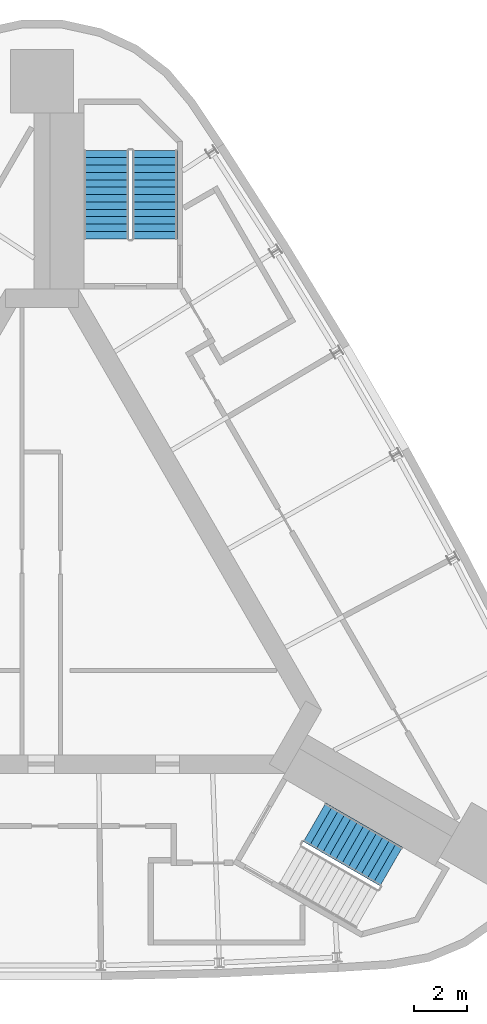
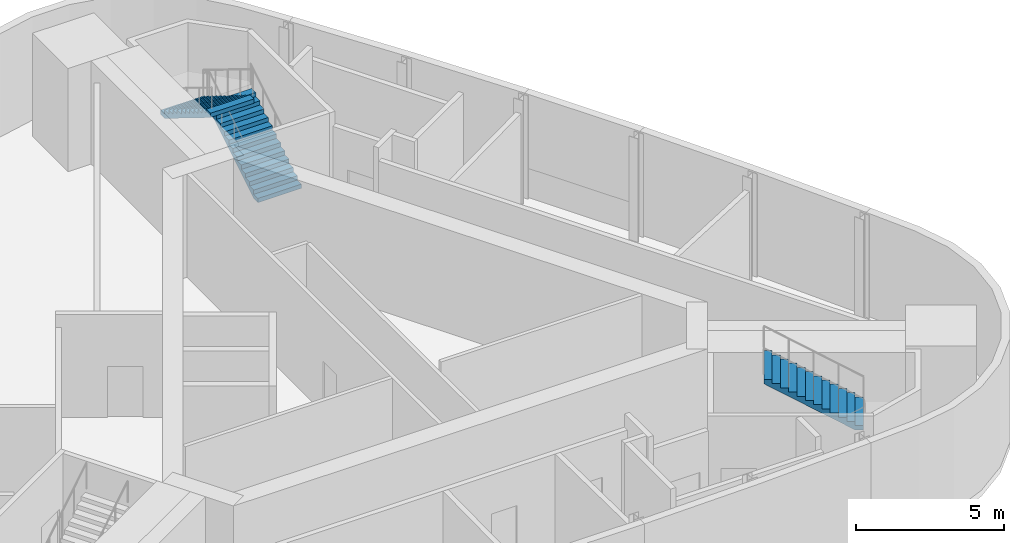
# One storey, part 6 of 7: 3 stair flights, 2 elements without a shape of their own.
"""IFC4 building model written with IfcOpenShell, lengths in metres."""

from ifc_helpers import new_model, si_unit, direction, frame, origin, place, context, subcontext, project, spatial, polyline, outline, extrude, material, type_object, element, aggregate, save


model = new_model("IFC4")

# Units and contexts
model_context = context("Model", 3, precision=1e-05, world=origin(), true_north=direction((0.0, 1.0)))
body_context = subcontext(model_context, "Body", "Model", "MODEL_VIEW")
ifc_project = project(units=[si_unit("LENGTHUNIT", "METRE"), si_unit("AREAUNIT", "SQUARE_METRE"), si_unit("VOLUMEUNIT", "CUBIC_METRE"), si_unit("PLANEANGLEUNIT", "RADIAN"), si_unit("MASSUNIT", "GRAM", prefix="KILO")], contexts=[model_context])

# Site, building, storey
site_placement = place(None, origin())
site = spatial("IfcSite", under=ifc_project, at=site_placement, CompositionType="ELEMENT")
building_placement = place(site_placement, origin())
building = spatial("IfcBuilding", under=site, at=building_placement, Name="Noor Cloister Tower", CompositionType="ELEMENT")
storey_placement = place(building_placement, frame((0.0, 0.0, 293.10009765625)))
storey = spatial("IfcBuildingStorey", under=building, at=storey_placement, Name="L74", CompositionType="ELEMENT", Elevation=293.10009765625)

# Stair, stair flights
ifc_material_1 = material(Name="Concrete C40/50", Category="concrete")
stair_type = type_object("IfcStairType", Name="Exit stair 26 risers", PredefinedType="HALF_TURN_STAIR", material=ifc_material_1)
stair_1_placement = place(storey_placement, origin())
stair_1 = element("IfcStair", 1, at=stair_1_placement, inside=storey, type_object=stair_type, Name="Exit stair ST1 L74", PredefinedType="HALF_TURN_STAIR")
ifc_material_2 = material(Name="Concrete C40/50", Category="concrete")
stair_flight_type = type_object("IfcStairFlightType", Name="Exit stair flight", PredefinedType="STRAIGHT", material=ifc_material_2)
stair_flight_1_placement = place(storey_placement, frame((4.28564453125, 13.3564453125, 0.0), z_axis=(0.0, 0.0, 1.0), x_axis=(0.0, 1.0, 0.0)))
stair_flight_1 = element("IfcStairFlight", 2, at=stair_flight_1_placement, type_object=stair_flight_type, Name="ST1 flight 1", NumberOfRisers=13, NumberOfTreads=12, PredefinedType="STRAIGHT", RiserHeight=0.173076923, TreadLength=0.28, context=body_context, shape_type="SweptSolid", body=[
    extrude(outline(polyline([(0.0, 0.0), (0.0, 0.173095703125), (0.280029296875, 0.173095703125), (0.280029296875, 0.34619140625), (0.56005859375, 0.34619140625), (0.56005859375, 0.519287109375), (0.840087890625, 0.519287109375), (0.840087890625, 0.6923828125), (1.1201171875, 0.6923828125), (1.1201171875, 0.865478515625), (1.39990234375, 0.865478515625), (1.39990234375, 1.03857421875), (1.679931640625, 1.03857421875), (1.679931640625, 1.21142578125), (1.9599609375, 1.21142578125), (1.9599609375, 1.384521484375), (2.239990234375, 1.384521484375), (2.239990234375, 1.5576171875), (2.52001953125, 1.5576171875), (2.52001953125, 1.730712890625), (2.800048828125, 1.730712890625), (2.800048828125, 1.90380859375), (3.080078125, 1.90380859375), (3.080078125, 2.076904296875), (3.360107421875, 2.076904296875), (3.360107421875, 2.25), (3.360107421875, 1.900634765625), (0.28515625, 0.0), (0.0, 0.0)])), frame((0.0, 0.85009765625, 0.0), z_axis=(0.0, -1.0, 0.0), x_axis=(1.0, 0.0, 0.0)), (0.0, 0.0, 1.0), 1.699951171875),
])
stair_flight_2_placement = place(storey_placement, frame((2.435546875, 16.71630859375, 2.25), z_axis=(0.0, 0.0, 1.0), x_axis=(0.0, -1.0, 0.0)))
stair_flight_2 = element("IfcStairFlight", 3, at=stair_flight_2_placement, type_object=stair_flight_type, Name="ST1 flight 2", NumberOfRisers=13, NumberOfTreads=12, PredefinedType="STRAIGHT", RiserHeight=0.173076923, TreadLength=0.28, context=body_context, shape_type="SweptSolid", body=[
    extrude(outline(polyline([(0.0, 0.0), (0.0, 0.173095703125), (0.280029296875, 0.173095703125), (0.280029296875, 0.34619140625), (0.56005859375, 0.34619140625), (0.56005859375, 0.519287109375), (0.840087890625, 0.519287109375), (0.840087890625, 0.6923828125), (1.1201171875, 0.6923828125), (1.1201171875, 0.865478515625), (1.39990234375, 0.865478515625), (1.39990234375, 1.03857421875), (1.679931640625, 1.03857421875), (1.679931640625, 1.21142578125), (1.9599609375, 1.21142578125), (1.9599609375, 1.384521484375), (2.239990234375, 1.384521484375), (2.239990234375, 1.5576171875), (2.52001953125, 1.5576171875), (2.52001953125, 1.730712890625), (2.800048828125, 1.730712890625), (2.800048828125, 1.90380859375), (3.080078125, 1.90380859375), (3.080078125, 2.076904296875), (3.360107421875, 2.076904296875), (3.360107421875, 2.25), (3.360107421875, 1.900634765625), (0.28515625, 0.0), (0.0, 0.0)])), frame((0.0, 0.85009765625, 0.0), z_axis=(0.0, -1.0, 0.0), x_axis=(1.0, 0.0, 0.0)), (0.0, 0.0, 1.0), 1.699951171875),
])
aggregate(stair_1, [stair_flight_1, stair_flight_2])

# Stair, stair flight
stair_2_placement = place(storey_placement, origin())
stair_2 = element("IfcStair", 4, at=stair_2_placement, inside=storey, type_object=stair_type, Name="Exit stair ST3 L74", PredefinedType="HALF_TURN_STAIR")
stair_flight_3_placement = place(storey_placement, frame((13.259033203125, -10.467529296875, 2.25), z_axis=(0.0, 0.0, 1.0), x_axis=(-0.866025403784, 0.5, 0.0)))
stair_flight_3 = element("IfcStairFlight", 5, at=stair_flight_3_placement, type_object=stair_flight_type, Name="ST3 flight 2", NumberOfRisers=13, NumberOfTreads=12, PredefinedType="STRAIGHT", RiserHeight=0.173076923, TreadLength=0.28, context=body_context, shape_type="SweptSolid", body=[
    extrude(outline(polyline([(0.0, 0.0), (0.0, 0.173095703125), (0.280029296875, 0.173095703125), (0.280029296875, 0.34619140625), (0.56005859375, 0.34619140625), (0.56005859375, 0.519287109375), (0.840087890625, 0.519287109375), (0.840087890625, 0.6923828125), (1.1201171875, 0.6923828125), (1.1201171875, 0.865478515625), (1.39990234375, 0.865478515625), (1.39990234375, 1.03857421875), (1.679931640625, 1.03857421875), (1.679931640625, 1.21142578125), (1.9599609375, 1.21142578125), (1.9599609375, 1.384521484375), (2.239990234375, 1.384521484375), (2.239990234375, 1.5576171875), (2.52001953125, 1.5576171875), (2.52001953125, 1.730712890625), (2.800048828125, 1.730712890625), (2.800048828125, 1.90380859375), (3.080078125, 1.90380859375), (3.080078125, 2.076904296875), (3.360107421875, 2.076904296875), (3.360107421875, 2.25), (3.360107421875, 1.900634765625), (0.28515625, 0.0), (0.0, 0.0)])), frame((0.0, 0.85009765625, 0.0), z_axis=(0.0, -1.0, 0.0), x_axis=(1.0, 0.0, 0.0)), (0.0, 0.0, 1.0), 1.699951171875),
])
aggregate(stair_2, [stair_flight_3])

save(model, "model.ifc")
